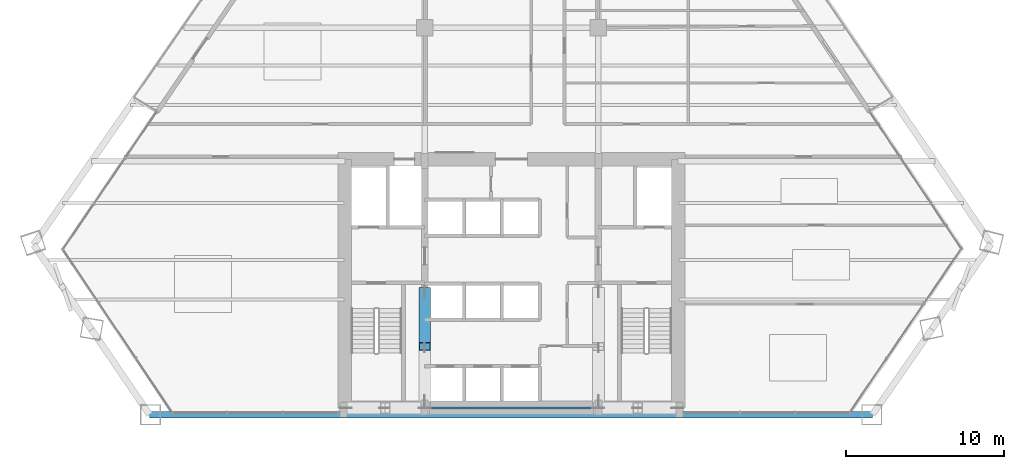
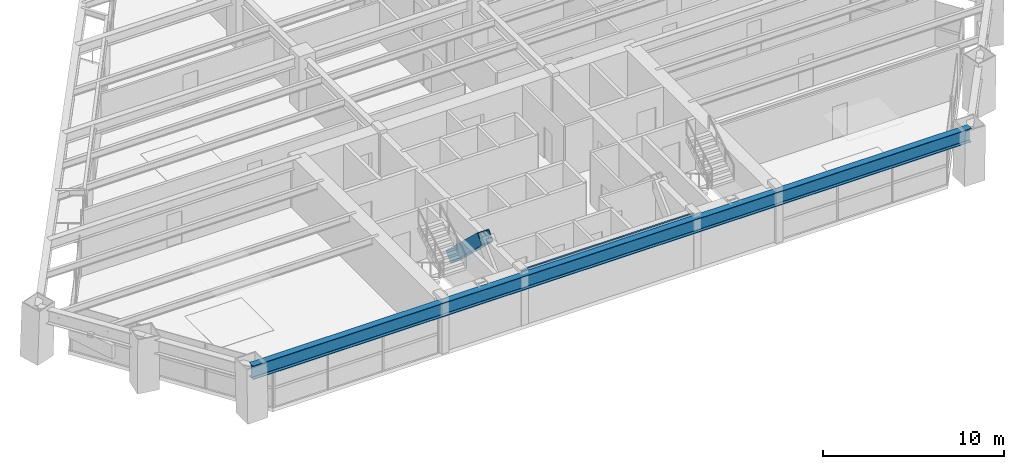
# One storey, part 3 of 14: 2 beams, 1 member.
"""IFC4 building model written with IfcOpenShell, lengths in metres."""

from ifc_helpers import new_model, si_unit, direction, frame, origin, origin_2d, place, context, subcontext, project, spatial, hollow_rectangle, i_section, extrude, source, transform, mapped, material, material_profile, profile_set, type_object, type_shapes, element, save


model = new_model("IFC4")

# Units and contexts
model_context = context("Model", 3, precision=1e-05, world=origin(), true_north=direction((0.0, 1.0)))
body_context = subcontext(model_context, "Body", "Model", "MODEL_VIEW")
ifc_project = project(units=[si_unit("LENGTHUNIT", "METRE"), si_unit("AREAUNIT", "SQUARE_METRE"), si_unit("VOLUMEUNIT", "CUBIC_METRE"), si_unit("PLANEANGLEUNIT", "RADIAN"), si_unit("MASSUNIT", "GRAM", prefix="KILO")], contexts=[model_context])

# Site, building, storey
site_placement = place(None, origin())
site = spatial("IfcSite", under=ifc_project, at=site_placement, CompositionType="ELEMENT")
building_placement = place(site_placement, origin())
building = spatial("IfcBuilding", under=site, at=building_placement, Name="Varnakhor Terracotta Tower", CompositionType="ELEMENT")
storey_placement = place(building_placement, frame((0.0, 0.0, 49.699951171875)))
storey = spatial("IfcBuildingStorey", under=building, at=storey_placement, Name="L11", CompositionType="ELEMENT", Elevation=49.699951171875)

# Beam
ifc_material_1 = material(Name="Steel S355", Category="steel")
ifc_material_profile_1 = material_profile(ifc_material_1, i_section(OverallWidth=0.1201171875, OverallDepth=0.239990234375, WebThickness=0.006103515625, FlangeThickness=0.009765625, FilletRadius=0.01806640625, at=origin_2d()), Name="IPE240")
ifc_profile_set_1 = profile_set([ifc_material_profile_1], Name="Steel S355")
beam_type_1 = type_object("IfcBeamType", Name="LNT-IPE240", PredefinedType="LINTEL", material=ifc_profile_set_1)
shared_shape_1 = source(origin(), body_context, "Body", "SweptSolid", [
    extrude(i_section(OverallWidth=0.1201171875, OverallDepth=0.239990234375, WebThickness=0.006103515625, FlangeThickness=0.009765625, FilletRadius=0.01806640625, at=origin_2d()), origin(), (0.0, 0.0, 1.0), 11.0),
])
type_shapes(beam_type_1, [shared_shape_1])
beam_1_placement = place(storey_placement, frame((-5.5, 0.419921875, 3.330078125), z_axis=(1.0, 0.0, 0.0), x_axis=(0.0, 1.0, 0.0)))
element("IfcBeam", 1, at=beam_1_placement, inside=storey, type_object=beam_type_1, Name="L11 Core South Coupling Lintel", PredefinedType="LINTEL", context=body_context, shape_type="MappedRepresentation", body=[
    mapped(shared_shape_1, transform((0.0, 0.0, 0.0), scale=1.0)),
])

# Member
ifc_material_2 = material(Name="Steel S460", Category="steel")
ifc_material_profile_2 = material_profile(ifc_material_2, hollow_rectangle(XDim=0.75, YDim=0.75, WallThickness=0.044921875, at=origin_2d()), Name="HSS750X750X45")
ifc_profile_set_2 = profile_set([ifc_material_profile_2], Name="Steel S460")
member_type = type_object("IfcMemberType", Name="MBR-MEGA-750", PredefinedType="BRACE", material=ifc_profile_set_2)
shared_shape_2 = source(origin(), body_context, "Body", "SweptSolid", [
    extrude(hollow_rectangle(XDim=0.75, YDim=0.75, WallThickness=0.044921875, at=origin_2d()), origin(), (0.0, 0.0, 1.0), 4.792236328125),
])
member_placement = place(storey_placement, frame((-5.5, 7.800048828125, 0.0), z_axis=(0.0, -0.72513424341, 0.688607529028), x_axis=(1.0, 0.0, 0.0)))
element("IfcMember", 2, at=member_placement, inside=storey, type_object=member_type, Name="L11 Core Coupled Brace CWWB", PredefinedType="BRACE", context=body_context, shape_type="MappedRepresentation", body=[
    mapped(shared_shape_2, transform((0.0, 0.0, 0.0), scale=1.0)),
])

# Beam
ifc_material_profile_3 = material_profile(ifc_material_1, i_section(OverallWidth=0.41796875, OverallDepth=0.927001953125, WebThickness=0.01904296875, FlangeThickness=0.031982421875, FilletRadius=0.01806640625, at=origin_2d()), Name="W36X231")
ifc_profile_set_3 = profile_set([ifc_material_profile_3], Name="Steel S355")
beam_type_2 = type_object("IfcBeamType", Name="BM-W36X231", PredefinedType="BEAM", material=ifc_profile_set_3)
shared_shape_3 = source(origin(), body_context, "Body", "SweptSolid", [
    extrude(i_section(OverallWidth=0.41796875, OverallDepth=0.927001953125, WebThickness=0.01904296875, FlangeThickness=0.031982421875, FilletRadius=0.01806640625, at=origin_2d()), origin(), (0.0, 0.0, 1.0), 45.79833984375),
])
beam_2_placement = place(storey_placement, frame((-22.932861328125, 0.0, 2.986572265625), z_axis=(1.0, 0.0, 0.0), x_axis=(0.0, 1.0, 0.0)))
element("IfcBeam", 3, at=beam_2_placement, inside=storey, type_object=beam_type_2, Name="L11 Perimeter Spandrel 1", PredefinedType="BEAM", context=body_context, shape_type="MappedRepresentation", body=[
    mapped(shared_shape_3, transform((0.0, 0.0, 0.0), scale=1.0)),
])

save(model, "model.ifc")
